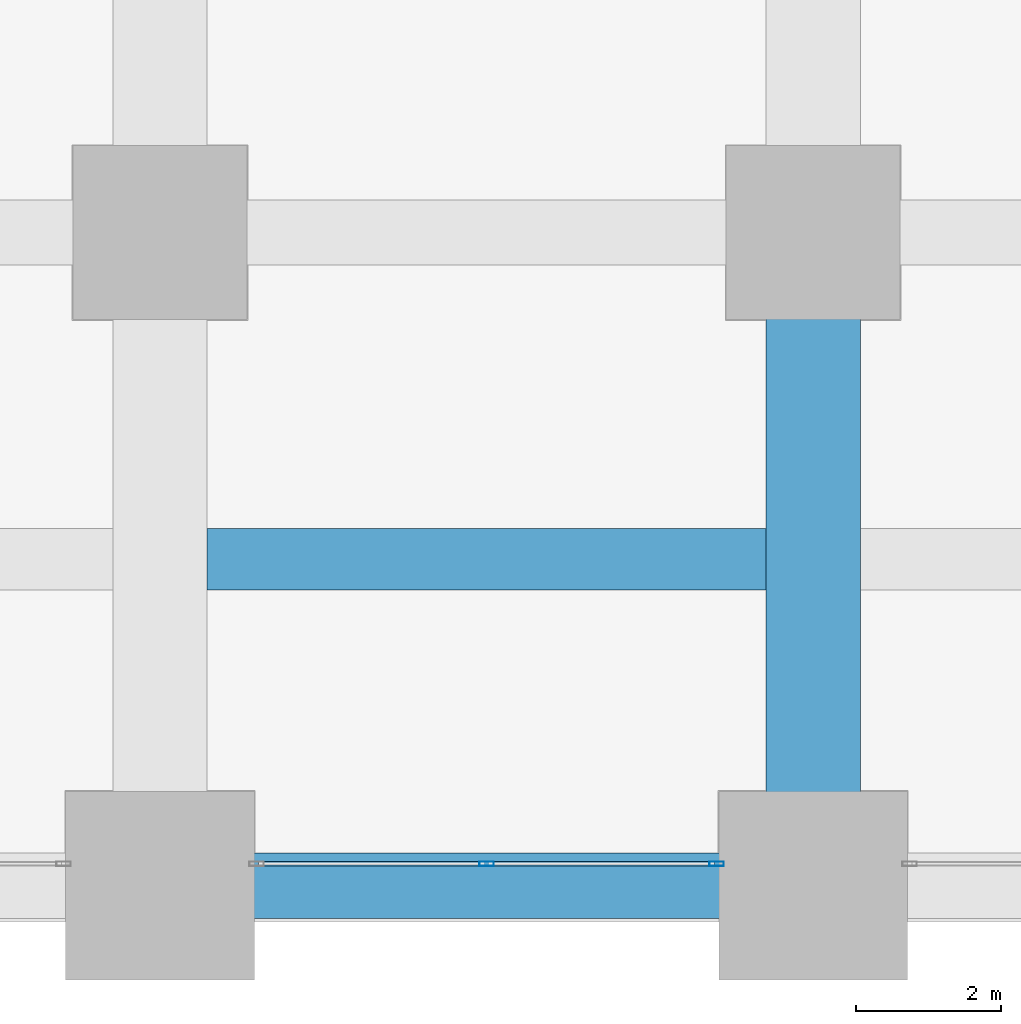
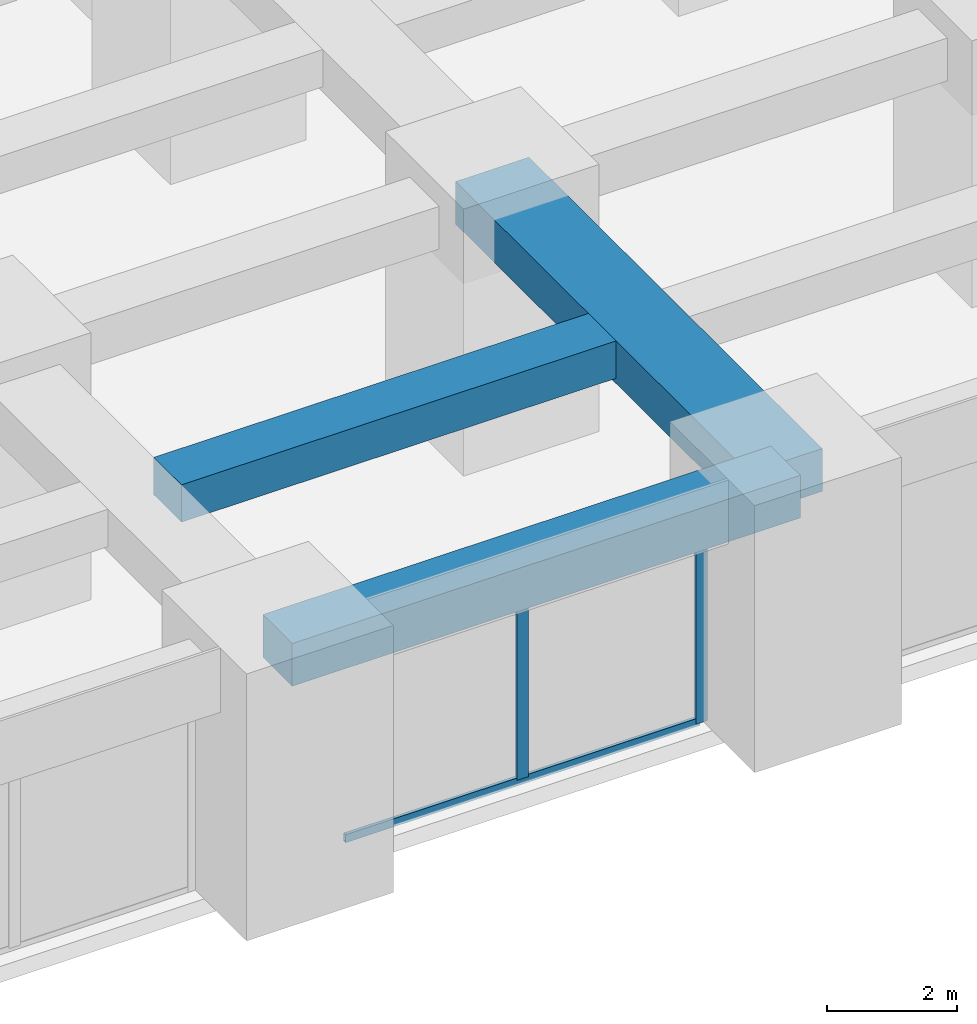
# One storey, part 16 of 46: 3 beams, 3 members, 1 element without a shape of its own.
"""IFC4 building model written with IfcOpenShell, lengths in metres."""

import ifcopenshell
import ifcopenshell.guid

model = None  # the IFC model being written
_history = None  # IfcOwnerHistory: only IFC2X3 demands one
_inside = {}  # id of a spatial element -> (the spatial element, [elements in it])
_under = {}  # id of a project, library or spatial element -> (it, [spatial elements below it])
_declared = {}  # id of a project -> (the project, [libraries it declares])
_typed = {}  # id of a type object -> (the type object, [elements of that type])
_made_of = {}  # id of a material, layer set ... -> (it, [elements and type objects made of it])


def new_model(schema):
    """Start an empty IFC model of exactly this schema.

    Asked for "IFC4X3", IfcOpenShell would pick the latest addendum, in which some entities
    have other attributes; the version numbers below select the first issue.
    IFC2X3 requires an IfcOwnerHistory on every rooted entity: one is made here for all.
    """
    global model, _history
    if schema == "IFC4X3":
        model = ifcopenshell.file(schema_version=(4, 3, 0, 0))
    else:
        model = ifcopenshell.file(schema=schema)
    _inside.clear()
    _under.clear()
    _declared.clear()
    _typed.clear()
    _made_of.clear()
    _history = None
    if model.schema == "IFC2X3":
        org = make("IfcOrganization", Name="unknown")
        user = make(
            "IfcPersonAndOrganization",
            ThePerson=make("IfcPerson", FamilyName="unknown"),
            TheOrganization=org,
        )
        app = make(
            "IfcApplication",
            ApplicationDeveloper=org,
            Version="unknown",
            ApplicationFullName="unknown",
            ApplicationIdentifier="unknown",
        )
        _history = make(
            "IfcOwnerHistory",
            OwningUser=user,
            OwningApplication=app,
            ChangeAction="ADDED",
            CreationDate=0,
        )
    return model


def make(cls, **values):
    """One entity of the class cls with the attributes given. An attribute that is None is left unset."""
    return model.create_entity(
        cls, **{name: value for name, value in values.items() if value is not None}
    )


def rooted(cls, **values):
    """An entity with a GlobalId (a new one), such as an element, a storey or a relation."""
    return make(cls, GlobalId=ifcopenshell.guid.new(), OwnerHistory=_history, **values)


def si_unit(unit_type, name, prefix=None):
    """IfcSIUnit, for example si_unit("LENGTHUNIT", "METRE", prefix="MILLI")."""
    return make("IfcSIUnit", UnitType=unit_type, Prefix=prefix, Name=name)


def assignment(units):
    """IfcUnitAssignment: the units of a project."""
    return None if units is None else make("IfcUnitAssignment", Units=units)


def point(xyz):
    """IfcCartesianPoint."""
    return None if xyz is None else make("IfcCartesianPoint", Coordinates=xyz)


def direction(xyz):
    """IfcDirection."""
    return None if xyz is None else make("IfcDirection", DirectionRatios=xyz)


def frame(location, z_axis=None, x_axis=None):
    """IfcAxis2Placement3D, a coordinate frame: its origin and axes. An axis left out is left unset."""
    return make(
        "IfcAxis2Placement3D",
        Location=point(location),
        Axis=direction(z_axis),
        RefDirection=direction(x_axis),
    )


def frame_2d(location, x_axis=None):
    """IfcAxis2Placement2D, a coordinate frame in the plane: its origin and x axis."""
    return make(
        "IfcAxis2Placement2D", Location=point(location), RefDirection=direction(x_axis)
    )


def origin():
    """The frame at (0, 0, 0) with its axes left unset."""
    return frame((0.0, 0.0, 0.0))


def origin_2d():
    """The frame at (0, 0) in the plane with its x axis left unset."""
    return frame_2d((0.0, 0.0))


def place(relative_to, where):
    """IfcLocalPlacement: puts the frame where relative to a parent placement (None: the world)."""
    return make(
        "IfcLocalPlacement", PlacementRelTo=relative_to, RelativePlacement=where
    )


def context(
    kind, dimensions, precision=None, world=None, true_north=None, identifier=None
):
    """IfcGeometricRepresentationContext, for example the 3D "Model" context."""
    return make(
        "IfcGeometricRepresentationContext",
        ContextIdentifier=identifier,
        ContextType=kind,
        CoordinateSpaceDimension=dimensions,
        Precision=precision,
        WorldCoordinateSystem=world,
        TrueNorth=true_north,
    )


def subcontext(parent, identifier, kind, view, scale=None):
    """IfcGeometricRepresentationSubContext, for example "Body" below "Model"."""
    return make(
        "IfcGeometricRepresentationSubContext",
        ContextIdentifier=identifier,
        ContextType=kind,
        ParentContext=parent,
        TargetScale=scale,
        TargetView=view,
    )


def project(units=None, contexts=None):
    """IfcProject with its units and contexts."""
    return rooted(
        "IfcProject",
        Name="project",
        RepresentationContexts=contexts,
        UnitsInContext=assignment(units),
    )


def spatial(cls, under=None, at=None, **own):
    """A site, building, storey or space (cls), placed at a placement, below another one or the project."""
    s = rooted(cls, ObjectPlacement=at, **own)
    if under is not None:
        _under.setdefault(under.id(), (under, []))[1].append(s)
    return s


def profile(cls, at=None, kind="AREA", **sizes):
    """A parametric profile (cls). Its sizes go by their IFC names, for example OverallWidth=200.0."""
    return make(cls, ProfileType=kind, Position=at, **sizes)


def rectangle(**sizes):
    """IfcRectangleProfileDef."""
    return profile("IfcRectangleProfileDef", **sizes)


def hollow_rectangle(**sizes):
    """IfcRectangleHollowProfileDef."""
    return profile("IfcRectangleHollowProfileDef", **sizes)


def extrude(swept, where, along, depth):
    """IfcExtrudedAreaSolid: the profile swept, set in the frame where, extruded along a direction by depth."""
    return make(
        "IfcExtrudedAreaSolid",
        SweptArea=swept,
        Position=where,
        ExtrudedDirection=direction(along),
        Depth=depth,
    )


def shape(context_of_items, identifier, shape_type, items):
    """IfcShapeRepresentation: the items that make up one representation, for example the "Body"."""
    return make(
        "IfcShapeRepresentation",
        ContextOfItems=context_of_items,
        RepresentationIdentifier=identifier,
        RepresentationType=shape_type,
        Items=items,
    )


def material(Name=None, Category=None):
    """IfcMaterial."""
    return make("IfcMaterial", Name=Name, Category=Category)


def material_profile(
    of_material, cross_section, Name=None, Category=None, Priority=None
):
    """IfcMaterialProfile: a cross section and its material."""
    return make(
        "IfcMaterialProfile",
        Name=Name,
        Material=of_material,
        Profile=cross_section,
        Priority=Priority,
        Category=Category,
    )


def profile_set(profiles, Name=None, composite=None):
    """IfcMaterialProfileSet."""
    return make(
        "IfcMaterialProfileSet",
        Name=Name,
        MaterialProfiles=profiles,
        CompositeProfile=composite,
    )


def made_of(thing, what):
    """Note that an element or type object is made of a material, layer set ...; save() writes the relation."""
    if what is not None:
        _made_of.setdefault(what.id(), (what, []))[1].append(thing)
    return thing


def type_object(cls, material=None, **own):
    """A type object (cls), such as IfcWallType, which elements share."""
    return made_of(rooted(cls, **own), material)


def element(
    cls,
    number,
    at=None,
    inside=None,
    cuts=None,
    type_object=None,
    material=None,
    context=None,
    identifier="Body",
    shape_type=None,
    held_by="IfcProductDefinitionShape",
    body=None,
    shapes=None,
    **own,
):
    """One element of the class cls, such as IfcWall. Its Tag is "e" and its number.

    at: its placement. inside: the storey or other place that contains it. cuts: it is an
    opening in that element (IfcRelVoidsElement). A single representation is given by context,
    identifier, shape_type and body (its items); several are given by shapes. held_by: the class
    of the entity that holds the representations. save() writes the other relations.
    """
    e = rooted(cls, Tag="e%d" % number, ObjectPlacement=at, **own)
    if body is not None:
        shapes = [shape(context, identifier, shape_type, body)]
    if shapes is not None:
        e.Representation = make(held_by, Representations=shapes)
    if inside is not None:
        _inside.setdefault(inside.id(), (inside, []))[1].append(e)
    if cuts is not None:
        rooted(
            "IfcRelVoidsElement", RelatingBuildingElement=cuts, RelatedOpeningElement=e
        )
    if type_object is not None:
        _typed.setdefault(type_object.id(), (type_object, []))[1].append(e)
    return made_of(e, material)


def aggregate(whole, parts):
    """IfcRelAggregates: a whole, such as a stair, and the parts it consists of."""
    return rooted("IfcRelAggregates", RelatingObject=whole, RelatedObjects=parts)


def save(model, path):
    """Write the relations noted so far, then the file.

    IfcRelAggregates (storeys below a building ...), IfcRelContainedInSpatialStructure (elements
    in a storey), IfcRelDefinesByType, IfcRelAssociatesMaterial and IfcRelDeclares: one each for
    every whole, place, type object, material and project.
    """
    for whole, parts in _under.values():
        aggregate(whole, parts)
    for where, things in _inside.values():
        rooted(
            "IfcRelContainedInSpatialStructure",
            RelatedElements=things,
            RelatingStructure=where,
        )
    for kind, things in _typed.values():
        rooted("IfcRelDefinesByType", RelatedObjects=things, RelatingType=kind)
    for what, things in _made_of.values():
        rooted("IfcRelAssociatesMaterial", RelatedObjects=things, RelatingMaterial=what)
    for by, libraries in _declared.values():
        rooted("IfcRelDeclares", RelatingContext=by, RelatedDefinitions=libraries)
    model.write(path)


model = new_model("IFC4")

# Units and contexts
model_context = context("Model", 3, precision=1e-05, world=origin(), true_north=direction((0.0, 1.0)))
body_context = subcontext(model_context, "Body", "Model", "MODEL_VIEW")
ifc_project = project(units=[si_unit("LENGTHUNIT", "METRE"), si_unit("AREAUNIT", "SQUARE_METRE"), si_unit("VOLUMEUNIT", "CUBIC_METRE"), si_unit("PLANEANGLEUNIT", "RADIAN"), si_unit("MASSUNIT", "GRAM", prefix="KILO")], contexts=[model_context])

# Site, building, storey
site_placement = place(None, origin())
site = spatial("IfcSite", under=ifc_project, at=site_placement, CompositionType="ELEMENT")
building_placement = place(site_placement, origin())
building = spatial("IfcBuilding", under=site, at=building_placement, Name="Zorevar Civic Tower", CompositionType="ELEMENT")
storey_placement = place(building_placement, frame((0.0, 0.0, 10.800048828125)))
storey = spatial("IfcBuildingStorey", under=building, at=storey_placement, Name="L02", CompositionType="ELEMENT", Elevation=10.800048828125)

# Beams
ifc_material_1 = material(Name="Concrete C50/60", Category="concrete")
ifc_material_profile_1 = material_profile(ifc_material_1, rectangle(XDim=1.300048828125, YDim=0.800048828125, at=origin_2d()), Name="RC 1300x800")
ifc_profile_set_1 = profile_set([ifc_material_profile_1], Name="Concrete C50/60")
beam_type_1 = type_object("IfcBeamType", Name="Beam RC 1300x800", PredefinedType="BEAM", material=ifc_profile_set_1)
beam_1_placement = place(storey_placement, frame((54.0, 0.0, 4.199951171875), z_axis=(0.0, 1.0, 0.0), x_axis=(-1.0, 0.0, 0.0)))
element("IfcBeam", 1, at=beam_1_placement, inside=storey, type_object=beam_type_1, Name="Girder L03", PredefinedType="BEAM", context=body_context, shape_type="SweptSolid", body=[
    extrude(rectangle(XDim=1.300048828125, YDim=0.800048828125, at=origin_2d()), origin(), (0.0, 0.0, 1.0), 9.0),
])
ifc_material_2 = material(Name="Concrete C50/60", Category="concrete")
ifc_material_profile_2 = material_profile(ifc_material_2, rectangle(XDim=0.85009765625, YDim=0.699951171875, at=origin_2d()), Name="RC 850x700")
ifc_profile_set_2 = profile_set([ifc_material_profile_2], Name="Concrete C50/60")
beam_type_2 = type_object("IfcBeamType", Name="Beam RC 850x700", PredefinedType="BEAM", material=ifc_profile_set_2)
beam_2_placement = place(storey_placement, frame((45.64990234375, 4.5, 4.25), z_axis=(1.0, 0.0, 0.0), x_axis=(0.0, 1.0, 0.0)))
element("IfcBeam", 2, at=beam_2_placement, inside=storey, type_object=beam_type_2, Name="Secondary beam L03", PredefinedType="BEAM", context=body_context, shape_type="SweptSolid", body=[
    extrude(rectangle(XDim=0.85009765625, YDim=0.699951171875, at=origin_2d()), origin(), (0.0, 0.0, 1.0), 7.7001953125),
])

# Curtain wall, members
ifc_material_3 = material(Name="Dark grey solar-control glass in black aluminium frame", Category="aluminium")
curtain_wall_type = type_object("IfcCurtainWallType", Name="Curtain wall CW1 podium", PredefinedType="NOTDEFINED", material=ifc_material_3)
curtain_wall_placement = place(storey_placement, origin())
curtain_wall = element("IfcCurtainWall", 3, at=curtain_wall_placement, inside=storey, type_object=curtain_wall_type, Name="CW1 L02", PredefinedType="NOTDEFINED")
ifc_material_4 = material(Name="Aluminium, black anodised", Category="aluminium")
ifc_material_profile_3 = material_profile(ifc_material_4, hollow_rectangle(XDim=0.06005859375, YDim=0.199951171875, WallThickness=0.00390625, at=origin_2d()), Name="AL 200x60x4")
ifc_profile_set_3 = profile_set([ifc_material_profile_3], Name="Aluminium, black anodised")
member_type_1 = type_object("IfcMemberType", Name="CW1 mullion AL 200x60x4", PredefinedType="MULLION", material=ifc_profile_set_3)
member_1_placement = place(storey_placement, frame((49.5, 0.300048828125, 0.06005859375), z_axis=(0.0, 0.0, 1.0), x_axis=(0.0, 1.0, 0.0)))
member_1 = element("IfcMember", 4, at=member_1_placement, type_object=member_type_1, Name="CW1 mullion 2", PredefinedType="MULLION", context=body_context, shape_type="SweptSolid", body=[
    extrude(hollow_rectangle(XDim=0.06005859375, YDim=0.199951171875, WallThickness=0.00390625, at=origin_2d()), origin(), (0.0, 0.0, 1.0), 3.739990234375),
])
member_2_placement = place(storey_placement, frame((52.669921875, 0.300048828125, 0.0), z_axis=(0.0, 0.0, 1.0), x_axis=(0.0, 1.0, 0.0)))
member_2 = element("IfcMember", 5, at=member_2_placement, type_object=member_type_1, Name="CW1 mullion 3", PredefinedType="MULLION", context=body_context, shape_type="SweptSolid", body=[
    extrude(hollow_rectangle(XDim=0.06005859375, YDim=0.199951171875, WallThickness=0.00390625, at=origin_2d()), origin(), (0.0, 0.0, 1.0), 3.800048828125),
])
ifc_material_5 = material(Name="Aluminium, black anodised", Category="aluminium")
ifc_material_profile_4 = material_profile(ifc_material_5, hollow_rectangle(XDim=0.06005859375, YDim=0.14990234375, WallThickness=0.00390625, at=origin_2d()), Name="AL 150x60x4")
ifc_profile_set_4 = profile_set([ifc_material_profile_4], Name="Aluminium, black anodised")
member_type_2 = type_object("IfcMemberType", Name="CW1 transom AL 150x60x4", PredefinedType="USERDEFINED", material=ifc_profile_set_4)
member_3_placement = place(storey_placement, frame((46.360107421875, 0.300048828125, 0.030029296875), z_axis=(1.0, 0.0, 0.0), x_axis=(0.0, 1.0, 0.0)))
member_3 = element("IfcMember", 6, at=member_3_placement, type_object=member_type_2, Name="CW1 sill transom", ObjectType="TRANSOM", PredefinedType="USERDEFINED", context=body_context, shape_type="SweptSolid", body=[
    extrude(hollow_rectangle(XDim=0.06005859375, YDim=0.14990234375, WallThickness=0.00390625, at=origin_2d()), origin(), (0.0, 0.0, 1.0), 6.27978515625),
])
aggregate(curtain_wall, [member_1, member_2, member_3])

# Beam
ifc_material_6 = material(Name="Concrete C50/60", Category="concrete")
ifc_material_profile_5 = material_profile(ifc_material_6, rectangle(XDim=0.89990234375, YDim=0.800048828125, at=origin_2d()), Name="RC 900x800")
ifc_profile_set_5 = profile_set([ifc_material_profile_5], Name="Concrete C50/60")
beam_type_3 = type_object("IfcBeamType", Name="Edge beam RC 900x800", PredefinedType="SPANDREL", material=ifc_profile_set_5)
beam_3_placement = place(storey_placement, frame((45.0, 0.0, 4.199951171875), z_axis=(1.0, 0.0, 0.0), x_axis=(0.0, 1.0, 0.0)))
element("IfcBeam", 7, at=beam_3_placement, inside=storey, type_object=beam_type_3, Name="Edge beam L03", PredefinedType="SPANDREL", context=body_context, shape_type="SweptSolid", body=[
    extrude(rectangle(XDim=0.89990234375, YDim=0.800048828125, at=origin_2d()), origin(), (0.0, 0.0, 1.0), 9.0),
])

save(model, "model.ifc")
